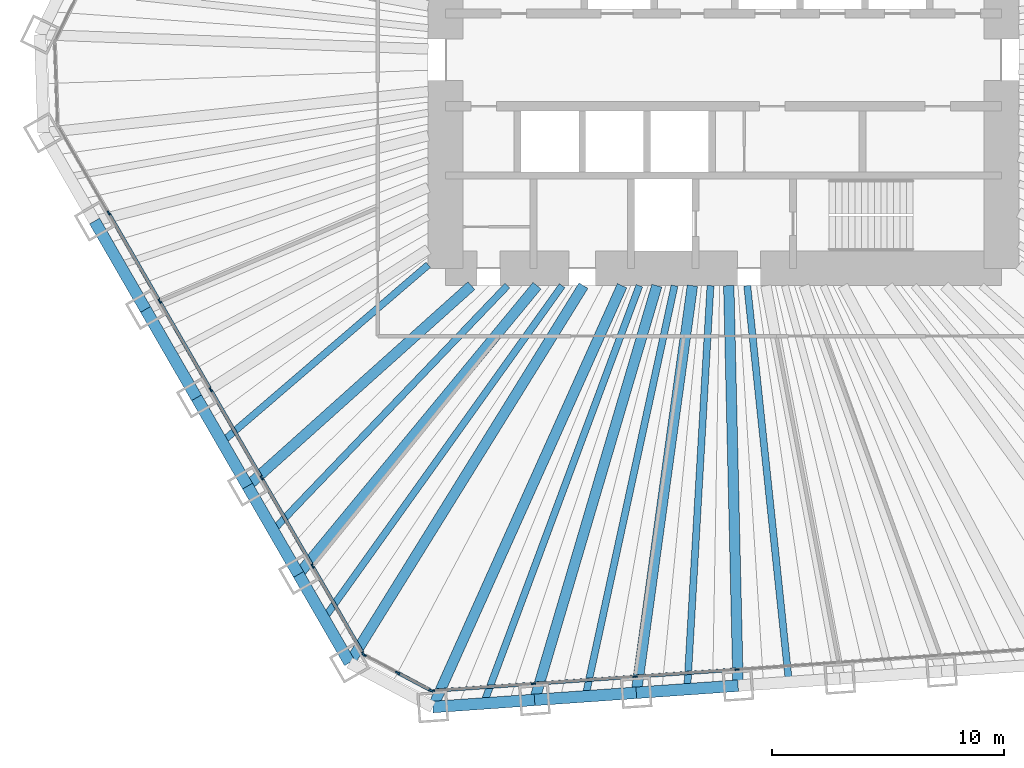
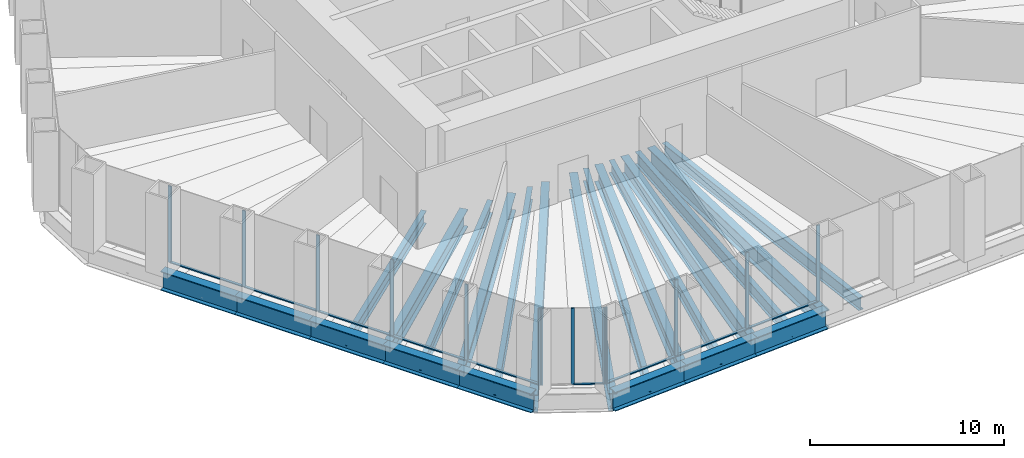
# One storey, part 2 of 13: 22 beams, 22 members, 3 elements without a shape of their own.
"""IFC4 building model written with IfcOpenShell, lengths in metres."""

from ifc_helpers import new_model, si_unit, direction, frame, origin, origin_2d, place, context, subcontext, project, spatial, rectangle, i_section, extrude, material, material_profile, profile_set, type_object, element, aggregate, save


model = new_model("IFC4")

# Units and contexts
model_context = context("Model", 3, precision=1e-05, world=origin(), true_north=direction((0.0, 1.0)))
body_context = subcontext(model_context, "Body", "Model", "MODEL_VIEW")
ifc_project = project(units=[si_unit("LENGTHUNIT", "METRE"), si_unit("AREAUNIT", "SQUARE_METRE"), si_unit("VOLUMEUNIT", "CUBIC_METRE"), si_unit("PLANEANGLEUNIT", "RADIAN"), si_unit("MASSUNIT", "GRAM", prefix="KILO")], contexts=[model_context])

# Site, building, storey
site_placement = place(None, origin())
site = spatial("IfcSite", under=ifc_project, at=site_placement, CompositionType="ELEMENT")
building_placement = place(site_placement, origin())
building = spatial("IfcBuilding", under=site, at=building_placement, Name="Qingtian Harvest Tower", CompositionType="ELEMENT")
storey_placement = place(building_placement, frame((0.0, 0.0, 22.0)))
storey = spatial("IfcBuildingStorey", under=building, at=storey_placement, Name="L04", CompositionType="ELEMENT", Elevation=22.0)

# Beams
ifc_material_1 = material(Name="Steel SM570MC", Category="steel")
ifc_material_profile_1 = material_profile(ifc_material_1, i_section(OverallWidth=0.449951171875, OverallDepth=1.10009765625, WebThickness=0.02197265625, FlangeThickness=0.044921875, at=origin_2d()), Name="H1100x450x22x45")
ifc_profile_set_1 = profile_set([ifc_material_profile_1], Name="Steel SM570MC")
beam_type_1 = type_object("IfcBeamType", Name="Corner floor beam FB8 H1100x450x22x45", PredefinedType="BEAM", material=ifc_profile_set_1)
beam_1_placement = place(storey_placement, frame((-12.552734375, -27.943603515625, -0.75), z_axis=(0.409769605538, 0.912189054077, 0.0), x_axis=(-0.912189054077, 0.409769605538, 0.0)))
element("IfcBeam", 1, at=beam_1_placement, inside=storey, type_object=beam_type_1, Name="Floor beam FB8 S6", PredefinedType="BEAM", context=body_context, shape_type="SweptSolid", body=[
    extrude(i_section(OverallWidth=0.449951171875, OverallDepth=1.10009765625, WebThickness=0.02197265625, FlangeThickness=0.044921875, at=origin_2d()), origin(), (0.0, 0.0, 1.0), 19.945068359375),
])
beam_2_placement = place(storey_placement, frame((-16.14697265625, -26.03271484375, -0.75), z_axis=(0.5270935495, 0.849807266429, 0.0), x_axis=(-0.849807266429, 0.5270935495, 0.0)))
element("IfcBeam", 2, at=beam_2_placement, inside=storey, type_object=beam_type_1, Name="Floor beam FB8 SW0", PredefinedType="BEAM", context=body_context, shape_type="SweptSolid", body=[
    extrude(i_section(OverallWidth=0.449951171875, OverallDepth=1.10009765625, WebThickness=0.02197265625, FlangeThickness=0.044921875, at=origin_2d()), origin(), (0.0, 0.0, 1.0), 19.160400390625),
])
ifc_material_2 = material(Name="Steel SM570MC", Category="steel")
ifc_material_profile_2 = material_profile(ifc_material_2, i_section(OverallWidth=0.449951171875, OverallDepth=1.10009765625, WebThickness=0.02197265625, FlangeThickness=0.044921875, at=origin_2d()), Name="H1100x450x22x45")
ifc_profile_set_2 = profile_set([ifc_material_profile_2], Name="Steel SM570MC")
beam_type_2 = type_object("IfcBeamType", Name="Floor beam FB1 H1100x450x22x45", PredefinedType="BEAM", material=ifc_profile_set_2)
beam_3_placement = place(storey_placement, frame((0.62890625, -27.02197265625, -0.75), z_axis=(-0.023274161941, 0.999729120005, 0.0), x_axis=(-0.999729120005, -0.023274161941, 0.0)))
element("IfcBeam", 3, at=beam_3_placement, inside=storey, type_object=beam_type_2, Name="Floor beam FB1 S3", PredefinedType="BEAM", context=body_context, shape_type="SweptSolid", body=[
    extrude(i_section(OverallWidth=0.449951171875, OverallDepth=1.10009765625, WebThickness=0.02197265625, FlangeThickness=0.044921875, at=origin_2d()), origin(), (0.0, 0.0, 1.0), 17.276611328125),
])
beam_4_placement = place(storey_placement, frame((-3.76513671875, -27.3291015625, -0.75), z_axis=(0.136480966577, 0.990642693287, 0.0), x_axis=(-0.990642693287, 0.136480966577, 0.0)))
element("IfcBeam", 4, at=beam_4_placement, inside=storey, type_object=beam_type_2, Name="Floor beam FB1 S4", PredefinedType="BEAM", context=body_context, shape_type="SweptSolid", body=[
    extrude(i_section(OverallWidth=0.449951171875, OverallDepth=1.10009765625, WebThickness=0.02197265625, FlangeThickness=0.044921875, at=origin_2d()), origin(), (0.0, 0.0, 1.0), 17.7451171875),
])
beam_5_placement = place(storey_placement, frame((-8.158935546875, -27.636474609375, -0.75), z_axis=(0.283142824758, 0.95907775534, 0.0), x_axis=(-0.95907775534, 0.283142824758, 0.0)))
element("IfcBeam", 5, at=beam_5_placement, inside=storey, type_object=beam_type_2, Name="Floor beam FB1 S5", PredefinedType="BEAM", context=body_context, shape_type="SweptSolid", body=[
    extrude(i_section(OverallWidth=0.449951171875, OverallDepth=1.10009765625, WebThickness=0.02197265625, FlangeThickness=0.044921875, at=origin_2d()), origin(), (0.0, 0.0, 1.0), 18.649658203125),
])
beam_6_placement = place(storey_placement, frame((-18.349365234375, -22.21826171875, -0.75), z_axis=(0.636780387972, 0.771045224026, 0.0), x_axis=(-0.771045224026, 0.636780387972, 0.0)))
element("IfcBeam", 6, at=beam_6_placement, inside=storey, type_object=beam_type_2, Name="Floor beam FB1 SW1", PredefinedType="BEAM", context=body_context, shape_type="SweptSolid", body=[
    extrude(i_section(OverallWidth=0.449951171875, OverallDepth=1.10009765625, WebThickness=0.02197265625, FlangeThickness=0.044921875, at=origin_2d()), origin(), (0.0, 0.0, 1.0), 16.170654296875),
])
beam_7_placement = place(storey_placement, frame((-20.551513671875, -18.403564453125, -0.75), z_axis=(0.744965104975, 0.667103434536, 0.0), x_axis=(-0.667103434536, 0.744965104975, 0.0)))
element("IfcBeam", 7, at=beam_7_placement, inside=storey, type_object=beam_type_2, Name="Floor beam FB1 SW2", PredefinedType="BEAM", context=body_context, shape_type="SweptSolid", body=[
    extrude(i_section(OverallWidth=0.449951171875, OverallDepth=1.10009765625, WebThickness=0.02197265625, FlangeThickness=0.044921875, at=origin_2d()), origin(), (0.0, 0.0, 1.0), 12.971923828125),
])
ifc_material_3 = material(Name="Steel SN490B", Category="steel")
ifc_material_profile_3 = material_profile(ifc_material_3, i_section(OverallWidth=0.300048828125, OverallDepth=0.800048828125, WebThickness=0.013916015625, FlangeThickness=0.02587890625, at=origin_2d()), Name="H800x300x14x26")
ifc_profile_set_3 = profile_set([ifc_material_profile_3], Name="Steel SN490B")
beam_type_3 = type_object("IfcBeamType", Name="Floor joist J1 H800x300x14x26", PredefinedType="JOIST", material=ifc_profile_set_3)
beam_8_placement = place(storey_placement, frame((2.82568359375, -26.868408203125, -0.60009765625), z_axis=(-0.104590278152, 0.99451539642, 0.0), x_axis=(-0.99451539642, -0.104590278152, 0.0)))
element("IfcBeam", 8, at=beam_8_placement, inside=storey, type_object=beam_type_3, Name="Floor joist J1 S2", PredefinedType="JOIST", context=body_context, shape_type="SweptSolid", body=[
    extrude(i_section(OverallWidth=0.300048828125, OverallDepth=0.800048828125, WebThickness=0.013916015625, FlangeThickness=0.02587890625, at=origin_2d()), origin(), (0.0, 0.0, 1.0), 17.212890625),
])
beam_9_placement = place(storey_placement, frame((-1.568115234375, -27.175537109375, -0.60009765625), z_axis=(0.057613424947, 0.998338967118, 0.0), x_axis=(-0.998338967118, 0.057613424947, 0.0)))
element("IfcBeam", 9, at=beam_9_placement, inside=storey, type_object=beam_type_3, Name="Floor joist J1 S3", PredefinedType="JOIST", context=body_context, shape_type="SweptSolid", body=[
    extrude(i_section(OverallWidth=0.300048828125, OverallDepth=0.800048828125, WebThickness=0.013916015625, FlangeThickness=0.02587890625, at=origin_2d()), origin(), (0.0, 0.0, 1.0), 17.45458984375),
])
beam_10_placement = place(storey_placement, frame((-5.9619140625, -27.48291015625, -0.60009765625), z_axis=(0.211992805661, 0.977271226604, 0.0), x_axis=(-0.977271226604, 0.211992805661, 0.0)))
element("IfcBeam", 10, at=beam_10_placement, inside=storey, type_object=beam_type_3, Name="Floor joist J1 S4", PredefinedType="JOIST", context=body_context, shape_type="SweptSolid", body=[
    extrude(i_section(OverallWidth=0.300048828125, OverallDepth=0.800048828125, WebThickness=0.013916015625, FlangeThickness=0.02587890625, at=origin_2d()), origin(), (0.0, 0.0, 1.0), 18.145263671875),
])
beam_11_placement = place(storey_placement, frame((-10.35595703125, -27.7900390625, -0.60009765625), z_axis=(0.349193741063, 0.937050548905, 0.0), x_axis=(-0.937050548905, 0.349193741063, 0.0)))
element("IfcBeam", 11, at=beam_11_placement, inside=storey, type_object=beam_type_3, Name="Floor joist J1 S5", PredefinedType="JOIST", context=body_context, shape_type="SweptSolid", body=[
    extrude(i_section(OverallWidth=0.300048828125, OverallDepth=0.800048828125, WebThickness=0.013916015625, FlangeThickness=0.02587890625, at=origin_2d()), origin(), (0.0, 0.0, 1.0), 19.251953125),
])
beam_12_placement = place(storey_placement, frame((-17.248046875, -24.12548828125, -0.60009765625), z_axis=(0.581580544546, 0.81348882611, 0.0), x_axis=(-0.81348882611, 0.581580544546, 0.0)))
element("IfcBeam", 12, at=beam_12_placement, inside=storey, type_object=beam_type_3, Name="Floor joist J1 SW0", PredefinedType="JOIST", context=body_context, shape_type="SweptSolid", body=[
    extrude(i_section(OverallWidth=0.300048828125, OverallDepth=0.800048828125, WebThickness=0.013916015625, FlangeThickness=0.02587890625, at=origin_2d()), origin(), (0.0, 0.0, 1.0), 17.67138671875),
])
beam_13_placement = place(storey_placement, frame((-19.450439453125, -20.31103515625, -0.60009765625), z_axis=(0.691639144398, 0.722243237377, 0.0), x_axis=(-0.722243237377, 0.691639144398, 0.0)))
element("IfcBeam", 13, at=beam_13_placement, inside=storey, type_object=beam_type_3, Name="Floor joist J1 SW1", PredefinedType="JOIST", context=body_context, shape_type="SweptSolid", body=[
    extrude(i_section(OverallWidth=0.300048828125, OverallDepth=0.800048828125, WebThickness=0.013916015625, FlangeThickness=0.02587890625, at=origin_2d()), origin(), (0.0, 0.0, 1.0), 14.62255859375),
])
beam_14_placement = place(storey_placement, frame((-21.652587890625, -16.496337890625, -0.60009765625), z_axis=(0.758605680154, 0.651550014994, 0.0), x_axis=(-0.651550014994, 0.758605680154, 0.0)))
element("IfcBeam", 14, at=beam_14_placement, inside=storey, type_object=beam_type_3, Name="Floor joist J1 SW2", PredefinedType="JOIST", context=body_context, shape_type="SweptSolid", body=[
    extrude(i_section(OverallWidth=0.300048828125, OverallDepth=0.800048828125, WebThickness=0.013916015625, FlangeThickness=0.02587890625, at=origin_2d()), origin(), (0.0, 0.0, 1.0), 11.7353515625),
])

# Curtain wall, members
ifc_material_4 = material(Name="Bronze-anodised aluminium curtain wall", Category="aluminium")
curtain_wall_type = type_object("IfcCurtainWallType", Name="Curtain wall CW2 farm reception", PredefinedType="USERDEFINED", material=ifc_material_4)
curtain_wall_1_placement = place(storey_placement, origin())
curtain_wall_1 = element("IfcCurtainWall", 15, at=curtain_wall_1_placement, inside=storey, type_object=curtain_wall_type, Name="Curtain wall CW2 L04 S0-5", ObjectType="RECESSED CURTAIN WALL", PredefinedType="USERDEFINED")
ifc_material_5 = material(Name="Bronze-anodised aluminium mullion", Category="aluminium")
ifc_material_profile_4 = material_profile(ifc_material_5, rectangle(XDim=0.06494140625, YDim=0.199951171875, at=origin_2d()), Name="AL 65x200")
ifc_profile_set_4 = profile_set([ifc_material_profile_4], Name="Bronze-anodised aluminium mullion")
member_type_1 = type_object("IfcMemberType", Name="Mullion CWM 65x200", PredefinedType="MULLION", material=ifc_profile_set_4)
member_1_placement = place(storey_placement, frame((0.580078125, -26.32373046875, 0.0), z_axis=(0.0, 0.0, 1.0), x_axis=(0.069756473744, -0.99756405026, 0.0)))
member_1 = element("IfcMember", 16, at=member_1_placement, type_object=member_type_1, Name="CW2 mullion 4", PredefinedType="MULLION", context=body_context, shape_type="SweptSolid", body=[
    extrude(rectangle(XDim=0.06494140625, YDim=0.199951171875, at=origin_2d()), origin(), (0.0, 0.0, 1.0), 4.800048828125),
])
member_2_placement = place(storey_placement, frame((-3.81396484375, -26.630859375, 0.0), z_axis=(0.0, 0.0, 1.0), x_axis=(0.069756473744, -0.99756405026, 0.0)))
member_2 = element("IfcMember", 17, at=member_2_placement, type_object=member_type_1, Name="CW2 mullion 5", PredefinedType="MULLION", context=body_context, shape_type="SweptSolid", body=[
    extrude(rectangle(XDim=0.06494140625, YDim=0.199951171875, at=origin_2d()), origin(), (0.0, 0.0, 1.0), 4.800048828125),
])
member_3_placement = place(storey_placement, frame((-8.207763671875, -26.938232421875, 0.0), z_axis=(0.0, 0.0, 1.0), x_axis=(0.069756473744, -0.99756405026, 0.0)))
member_3 = element("IfcMember", 18, at=member_3_placement, type_object=member_type_1, Name="CW2 mullion 6", PredefinedType="MULLION", context=body_context, shape_type="SweptSolid", body=[
    extrude(rectangle(XDim=0.06494140625, YDim=0.199951171875, at=origin_2d()), origin(), (0.0, 0.0, 1.0), 4.800048828125),
])
member_4_placement = place(storey_placement, frame((-12.569091796875, -27.2431640625, 0.0), z_axis=(0.0, 0.0, 1.0), x_axis=(0.069756473744, -0.99756405026, 0.0)))
member_4 = element("IfcMember", 19, at=member_4_placement, type_object=member_type_1, Name="CW2 mullion 7", PredefinedType="MULLION", context=body_context, shape_type="SweptSolid", body=[
    extrude(rectangle(XDim=0.06494140625, YDim=0.199951171875, at=origin_2d()), origin(), (0.0, 0.0, 1.0), 4.800048828125),
])

curtain_wall_2_placement = place(storey_placement, origin())
curtain_wall_2 = element("IfcCurtainWall", 20, at=curtain_wall_2_placement, inside=storey, type_object=curtain_wall_type, Name="Curtain wall CW2 L04 SC", ObjectType="RECESSED CURTAIN WALL", PredefinedType="USERDEFINED")
member_5_placement = place(storey_placement, frame((-12.63037109375, -27.230224609375, 0.0), z_axis=(0.0, 0.0, 1.0), x_axis=(-0.469471562786, -0.882947592859, 0.0)))
member_5 = element("IfcMember", 21, at=member_5_placement, type_object=member_type_1, Name="CW2 mullion 1", PredefinedType="MULLION", context=body_context, shape_type="SweptSolid", body=[
    extrude(rectangle(XDim=0.06494140625, YDim=0.199951171875, at=origin_2d()), origin(), (0.0, 0.0, 1.0), 4.800048828125),
])
member_6_placement = place(storey_placement, frame((-14.0712890625, -26.464111328125, 0.0), z_axis=(0.0, 0.0, 1.0), x_axis=(-0.469471562786, -0.882947592859, 0.0)))
member_6 = element("IfcMember", 22, at=member_6_placement, type_object=member_type_1, Name="CW2 mullion 2", PredefinedType="MULLION", context=body_context, shape_type="SweptSolid", body=[
    extrude(rectangle(XDim=0.06494140625, YDim=0.199951171875, at=origin_2d()), origin(), (0.0, 0.0, 1.0), 4.800048828125),
])
member_7_placement = place(storey_placement, frame((-15.511962890625, -25.697998046875, 0.0), z_axis=(0.0, 0.0, 1.0), x_axis=(-0.469471562786, -0.882947592859, 0.0)))
member_7 = element("IfcMember", 23, at=member_7_placement, type_object=member_type_1, Name="CW2 mullion 3", PredefinedType="MULLION", context=body_context, shape_type="SweptSolid", body=[
    extrude(rectangle(XDim=0.06494140625, YDim=0.199951171875, at=origin_2d()), origin(), (0.0, 0.0, 1.0), 4.800048828125),
])

curtain_wall_3_placement = place(storey_placement, origin())
curtain_wall_3 = element("IfcCurtainWall", 24, at=curtain_wall_3_placement, inside=storey, type_object=curtain_wall_type, Name="Curtain wall CW2 L04 SW0-5", ObjectType="RECESSED CURTAIN WALL", PredefinedType="USERDEFINED")
member_8_placement = place(storey_placement, frame((-15.556884765625, -25.654541015625, 0.0), z_axis=(0.0, 0.0, 1.0), x_axis=(-0.866025403784, -0.5, 0.0)))
member_8 = element("IfcMember", 25, at=member_8_placement, type_object=member_type_1, Name="CW2 mullion 1", PredefinedType="MULLION", context=body_context, shape_type="SweptSolid", body=[
    extrude(rectangle(XDim=0.06494140625, YDim=0.199951171875, at=origin_2d()), origin(), (0.0, 0.0, 1.0), 4.800048828125),
])
member_9_placement = place(storey_placement, frame((-17.742919921875, -21.8681640625, 0.0), z_axis=(0.0, 0.0, 1.0), x_axis=(-0.866025403784, -0.5, 0.0)))
member_9 = element("IfcMember", 26, at=member_9_placement, type_object=member_type_1, Name="CW2 mullion 2", PredefinedType="MULLION", context=body_context, shape_type="SweptSolid", body=[
    extrude(rectangle(XDim=0.06494140625, YDim=0.199951171875, at=origin_2d()), origin(), (0.0, 0.0, 1.0), 4.800048828125),
])
member_10_placement = place(storey_placement, frame((-19.9453125, -18.0537109375, 0.0), z_axis=(0.0, 0.0, 1.0), x_axis=(-0.866025403784, -0.5, 0.0)))
member_10 = element("IfcMember", 27, at=member_10_placement, type_object=member_type_1, Name="CW2 mullion 3", PredefinedType="MULLION", context=body_context, shape_type="SweptSolid", body=[
    extrude(rectangle(XDim=0.06494140625, YDim=0.199951171875, at=origin_2d()), origin(), (0.0, 0.0, 1.0), 4.800048828125),
])
member_11_placement = place(storey_placement, frame((-22.147705078125, -14.2392578125, 0.0), z_axis=(0.0, 0.0, 1.0), x_axis=(-0.866025403784, -0.5, 0.0)))
member_11 = element("IfcMember", 28, at=member_11_placement, type_object=member_type_1, Name="CW2 mullion 4", PredefinedType="MULLION", context=body_context, shape_type="SweptSolid", body=[
    extrude(rectangle(XDim=0.06494140625, YDim=0.199951171875, at=origin_2d()), origin(), (0.0, 0.0, 1.0), 4.800048828125),
])
member_12_placement = place(storey_placement, frame((-24.349853515625, -10.424560546875, 0.0), z_axis=(0.0, 0.0, 1.0), x_axis=(-0.866025403784, -0.5, 0.0)))
member_12 = element("IfcMember", 29, at=member_12_placement, type_object=member_type_1, Name="CW2 mullion 5", PredefinedType="MULLION", context=body_context, shape_type="SweptSolid", body=[
    extrude(rectangle(XDim=0.06494140625, YDim=0.199951171875, at=origin_2d()), origin(), (0.0, 0.0, 1.0), 4.800048828125),
])
member_13_placement = place(storey_placement, frame((-26.55224609375, -6.610107421875, 0.0), z_axis=(0.0, 0.0, 1.0), x_axis=(-0.866025403784, -0.5, 0.0)))
member_13 = element("IfcMember", 30, at=member_13_placement, type_object=member_type_1, Name="CW2 mullion 6", PredefinedType="MULLION", context=body_context, shape_type="SweptSolid", body=[
    extrude(rectangle(XDim=0.06494140625, YDim=0.199951171875, at=origin_2d()), origin(), (0.0, 0.0, 1.0), 4.800048828125),
])

# Beams
ifc_material_6 = material(Name="Steel SM570MC", Category="steel")
ifc_material_profile_5 = material_profile(ifc_material_6, i_section(OverallWidth=0.5, OverallDepth=1.199951171875, WebThickness=0.02490234375, FlangeThickness=0.050048828125, at=origin_2d()), Name="H1200x500x25x50")
ifc_profile_set_5 = profile_set([ifc_material_profile_5], Name="Steel SM570MC")
beam_type_4 = type_object("IfcBeamType", Name="Spandrel beam SB1 H1200x500x25x50", PredefinedType="SPANDREL", material=ifc_profile_set_5)
beam_15_placement = place(storey_placement, frame((0.62890625, -27.02197265625, -0.60009765625), z_axis=(-0.997566143208, -0.069726536735, 0.0), x_axis=(0.069726536735, -0.997566143208, 0.0)))
element("IfcBeam", 31, at=beam_15_placement, inside=storey, type_object=beam_type_4, Name="Spandrel SB1 S3", PredefinedType="SPANDREL", context=body_context, shape_type="SweptSolid", body=[
    extrude(i_section(OverallWidth=0.5, OverallDepth=1.199951171875, WebThickness=0.02490234375, FlangeThickness=0.050048828125, at=origin_2d()), origin(), (0.0, 0.0, 1.0), 4.40478515625),
])
for number, where, z_axis, x_axis, name in (
    (32, (-3.76513671875, -27.3291015625, -0.60009765625), (-0.997562016486, -0.069785551967, 0.0), (0.069785551967, -0.997562016486, 0.0), "Spandrel SB1 S4"),
    (33, (-8.158935546875, -27.636474609375, -0.60009765625), (-0.997565873714, -0.069730392239, 0.0), (0.069730392239, -0.997565873714, 0.0), "Spandrel SB1 S5"),
    (34, (-16.14697265625, -26.03271484375, -0.60009765625), (-0.50001992892, 0.866013897511, 0.0), (-0.866013897511, -0.50001992892, 0.0), "Spandrel SB1 SW0"),
):
    element("IfcBeam", number, at=place(storey_placement, frame(where, z_axis=z_axis, x_axis=x_axis)), inside=storey, type_object=beam_type_4, Name=name, PredefinedType="SPANDREL", context=body_context, shape_type="SweptSolid", body=[
        extrude(i_section(OverallWidth=0.5, OverallDepth=1.199951171875, WebThickness=0.02490234375, FlangeThickness=0.050048828125, at=origin_2d()), origin(), (0.0, 0.0, 1.0), 4.404541015625),
    ])
beam_16_placement = place(storey_placement, frame((-18.349365234375, -22.21826171875, -0.60009765625), z_axis=(-0.499954356739, 0.86605175433, 0.0), x_axis=(-0.86605175433, -0.499954356739, 0.0)))
element("IfcBeam", 35, at=beam_16_placement, inside=storey, type_object=beam_type_4, Name="Spandrel SB1 SW1", PredefinedType="SPANDREL", context=body_context, shape_type="SweptSolid", body=[
    extrude(i_section(OverallWidth=0.5, OverallDepth=1.199951171875, WebThickness=0.02490234375, FlangeThickness=0.050048828125, at=origin_2d()), origin(), (0.0, 0.0, 1.0), 4.40478515625),
])
for number, where, z_axis, x_axis, name in (
    (36, (-20.551513671875, -18.403564453125, -0.60009765625), (-0.50001992892, 0.866013897511, 0.0), (-0.866013897511, -0.50001992892, 0.0), "Spandrel SB1 SW2"),
    (37, (-22.75390625, -14.589111328125, -0.60009765625), (-0.499978356969, 0.866037899034, 0.0), (-0.866037899034, -0.499978356969, 0.0), "Spandrel SB1 SW3"),
    (38, (-24.9560546875, -10.774658203125, -0.60009765625), (-0.50001992892, 0.866013897511, 0.0), (-0.866013897511, -0.50001992892, 0.0), "Spandrel SB1 SW4"),
):
    element("IfcBeam", number, at=place(storey_placement, frame(where, z_axis=z_axis, x_axis=x_axis)), inside=storey, type_object=beam_type_4, Name=name, PredefinedType="SPANDREL", context=body_context, shape_type="SweptSolid", body=[
        extrude(i_section(OverallWidth=0.5, OverallDepth=1.199951171875, WebThickness=0.02490234375, FlangeThickness=0.050048828125, at=origin_2d()), origin(), (0.0, 0.0, 1.0), 4.404541015625),
    ])

# Member
ifc_material_7 = material(Name="Bronze-anodised aluminium transom", Category="aluminium")
ifc_material_profile_6 = material_profile(ifc_material_7, rectangle(XDim=0.14990234375, YDim=0.06494140625, at=origin_2d()), Name="AL 65x150")
ifc_profile_set_6 = profile_set([ifc_material_profile_6], Name="Bronze-anodised aluminium transom")
member_type_2 = type_object("IfcMemberType", Name="Transom CWT 65x150", PredefinedType="USERDEFINED", material=ifc_profile_set_6)
member_14_placement = place(storey_placement, frame((0.547607421875, -26.325927734375, 0.032470703125), z_axis=(-0.997563824095, -0.069759707979, 0.0), x_axis=(0.069759707979, -0.997563824095, 0.0)))
member_14 = element("IfcMember", 39, at=member_14_placement, type_object=member_type_2, Name="CW2 transom 4.1", ObjectType="TRANSOM", PredefinedType="USERDEFINED", context=body_context, shape_type="SweptSolid", body=[
    extrude(rectangle(XDim=0.14990234375, YDim=0.06494140625, at=origin_2d()), origin(), (0.0, 0.0, 1.0), 4.339599609375),
])

member_15_placement = place(storey_placement, frame((-3.84619140625, -26.63330078125, 0.032470703125), z_axis=(-0.997567737508, -0.069703723594, 0.0), x_axis=(0.069703723594, -0.997567737508, 0.0)))
member_15 = element("IfcMember", 40, at=member_15_placement, type_object=member_type_2, Name="CW2 transom 5.1", ObjectType="TRANSOM", PredefinedType="USERDEFINED", context=body_context, shape_type="SweptSolid", body=[
    extrude(rectangle(XDim=0.14990234375, YDim=0.06494140625, at=origin_2d()), origin(), (0.0, 0.0, 1.0), 4.339599609375),
])

member_16_placement = place(storey_placement, frame((-8.240234375, -26.9404296875, 0.032470703125), z_axis=(-0.997562637827, -0.069776669536, 0.0), x_axis=(0.069776669536, -0.997562637827, 0.0)))
member_16 = element("IfcMember", 41, at=member_16_placement, type_object=member_type_2, Name="CW2 transom 6.1", ObjectType="TRANSOM", PredefinedType="USERDEFINED", context=body_context, shape_type="SweptSolid", body=[
    extrude(rectangle(XDim=0.14990234375, YDim=0.06494140625, at=origin_2d()), origin(), (0.0, 0.0, 1.0), 4.30712890625),
])

aggregate(curtain_wall_1, [member_1, member_2, member_3, member_4, member_14, member_15, member_16])

member_17_placement = place(storey_placement, frame((-12.658935546875, -27.21484375, 0.032470703125), z_axis=(-0.882960338349, 0.46944759122, 0.0), x_axis=(-0.46944759122, -0.882960338349, 0.0)))
member_17 = element("IfcMember", 42, at=member_17_placement, type_object=member_type_2, Name="CW2 transom 1.1", ObjectType="TRANSOM", PredefinedType="USERDEFINED", context=body_context, shape_type="SweptSolid", body=[
    extrude(rectangle(XDim=0.14990234375, YDim=0.06494140625, at=origin_2d()), origin(), (0.0, 0.0, 1.0), 1.56689453125),
])

aggregate(curtain_wall_2, [member_5, member_6, member_7, member_17])

member_18_placement = place(storey_placement, frame((-15.5732421875, -25.62646484375, 0.032470703125), z_axis=(-0.499985768833, 0.866033619997, 0.0), x_axis=(-0.866033619997, -0.499985768833, 0.0)))
member_18 = element("IfcMember", 43, at=member_18_placement, type_object=member_type_2, Name="CW2 transom 1.1", ObjectType="TRANSOM", PredefinedType="USERDEFINED", context=body_context, shape_type="SweptSolid", body=[
    extrude(rectangle(XDim=0.14990234375, YDim=0.06494140625, at=origin_2d()), origin(), (0.0, 0.0, 1.0), 4.307373046875),
])

member_19_placement = place(storey_placement, frame((-17.75927734375, -21.840087890625, 0.032470703125), z_axis=(-0.500011390128, 0.866018827591, 0.0), x_axis=(-0.866018827591, -0.500011390128, 0.0)))
member_19 = element("IfcMember", 44, at=member_19_placement, type_object=member_type_2, Name="CW2 transom 2.1", ObjectType="TRANSOM", PredefinedType="USERDEFINED", context=body_context, shape_type="SweptSolid", body=[
    extrude(rectangle(XDim=0.14990234375, YDim=0.06494140625, at=origin_2d()), origin(), (0.0, 0.0, 1.0), 4.33984375),
])

member_20_placement = place(storey_placement, frame((-19.961669921875, -18.025634765625, 0.032470703125), z_axis=(-0.499969196308, 0.866043187574, 0.0), x_axis=(-0.866043187574, -0.499969196308, 0.0)))
member_20 = element("IfcMember", 45, at=member_20_placement, type_object=member_type_2, Name="CW2 transom 3.1", ObjectType="TRANSOM", PredefinedType="USERDEFINED", context=body_context, shape_type="SweptSolid", body=[
    extrude(rectangle(XDim=0.14990234375, YDim=0.06494140625, at=origin_2d()), origin(), (0.0, 0.0, 1.0), 4.339599609375),
])

member_21_placement = place(storey_placement, frame((-22.163818359375, -14.2109375, 0.032470703125), z_axis=(-0.500035751442, 0.866004761696, 0.0), x_axis=(-0.866004761696, -0.500035751442, 0.0)))
member_21 = element("IfcMember", 46, at=member_21_placement, type_object=member_type_2, Name="CW2 transom 4.1", ObjectType="TRANSOM", PredefinedType="USERDEFINED", context=body_context, shape_type="SweptSolid", body=[
    extrude(rectangle(XDim=0.14990234375, YDim=0.06494140625, at=origin_2d()), origin(), (0.0, 0.0, 1.0), 4.339599609375),
])

member_22_placement = place(storey_placement, frame((-24.3662109375, -10.396484375, 0.032470703125), z_axis=(-0.499993556937, 0.866029123656, 0.0), x_axis=(-0.866029123656, -0.499993556937, 0.0)))
member_22 = element("IfcMember", 47, at=member_22_placement, type_object=member_type_2, Name="CW2 transom 5.1", ObjectType="TRANSOM", PredefinedType="USERDEFINED", context=body_context, shape_type="SweptSolid", body=[
    extrude(rectangle(XDim=0.14990234375, YDim=0.06494140625, at=origin_2d()), origin(), (0.0, 0.0, 1.0), 4.33935546875),
])

aggregate(curtain_wall_3, [member_8, member_9, member_10, member_11, member_12, member_13, member_18, member_19, member_20, member_21, member_22])

save(model, "model.ifc")
